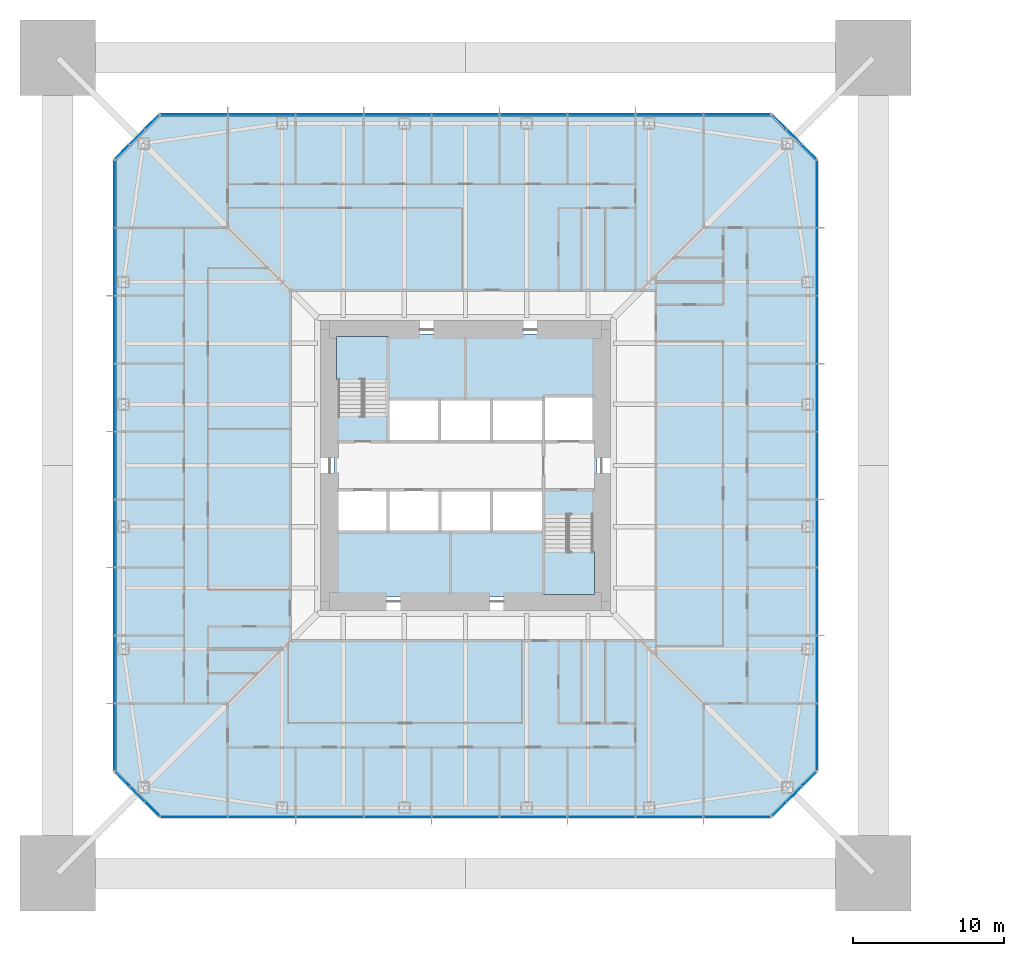
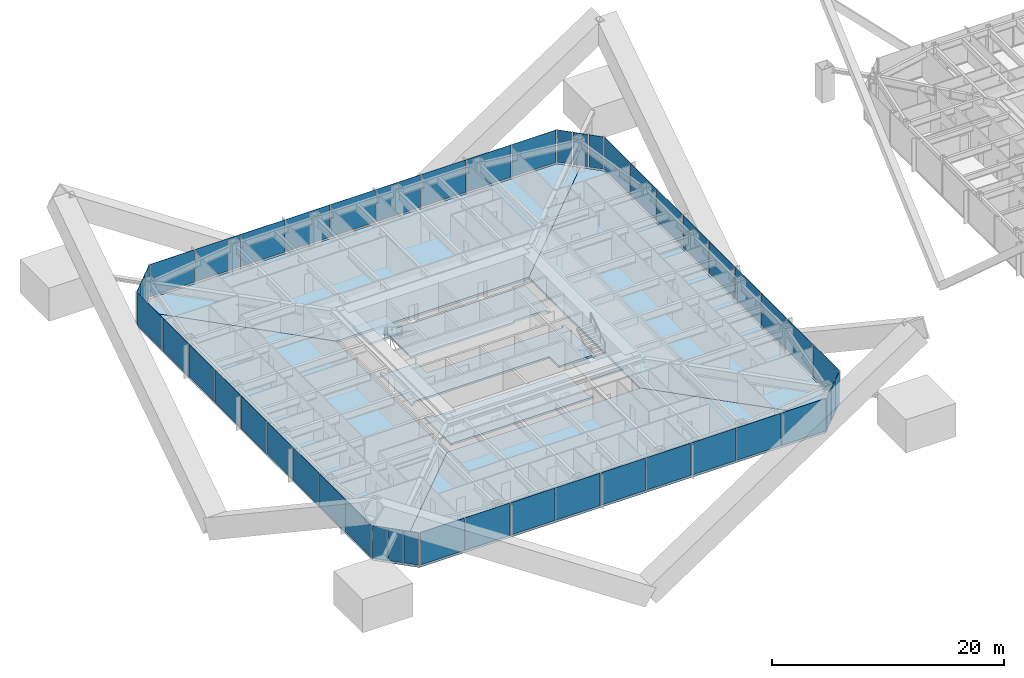
# One storey, part 13 of 27: 48 plates, 9 slabs, 10 elements without a shape of their own.
"""IFC4 building model written with IfcOpenShell, lengths in metres."""

from ifc_helpers import new_model, si_unit, direction, frame, origin, origin_2d, place, context, subcontext, project, spatial, polyline, rectangle, outline, extrude, material, layer, layer_set, constituent, constituent_set, type_object, element, aggregate, save


model = new_model("IFC4")

# Units and contexts
model_context = context("Model", 3, precision=1e-05, world=origin(), true_north=direction((0.0, 1.0)))
body_context = subcontext(model_context, "Body", "Model", "MODEL_VIEW")
ifc_project = project(units=[si_unit("LENGTHUNIT", "METRE"), si_unit("AREAUNIT", "SQUARE_METRE"), si_unit("VOLUMEUNIT", "CUBIC_METRE"), si_unit("PLANEANGLEUNIT", "RADIAN"), si_unit("MASSUNIT", "GRAM", prefix="KILO")], contexts=[model_context])

# Site, building, storey
site_placement = place(None, origin())
site = spatial("IfcSite", under=ifc_project, at=site_placement, CompositionType="ELEMENT")
building_placement = place(site_placement, origin())
building = spatial("IfcBuilding", under=site, at=building_placement, Name="Iwan Alto Co-Living Towers", CompositionType="ELEMENT")
storey_placement = place(building_placement, frame((0.0, 0.0, 25.5)))
storey = spatial("IfcBuildingStorey", under=building, at=storey_placement, Name="L06", CompositionType="ELEMENT", Elevation=25.5)

# Slabs
ifc_material_1 = material(Name="Concrete f'c 30 MPa", Category="concrete")
ifc_layer_1 = layer(ifc_material_1, 0.199951171875)
ifc_layer_set_1 = layer_set([ifc_layer_1], Name="CORE FLOOR SLAB 200")
slab_type_1 = type_object("IfcSlabType", Name="CORE FLOOR SLAB 200", PredefinedType="FLOOR", material=ifc_layer_set_1)
slab_1_placement = place(storey_placement, frame((0.0, 0.0, -0.199951171875)))
element("IfcSlab", 1, at=slab_1_placement, inside=storey, type_object=slab_type_1, Name="T1 core floor L06", PredefinedType="FLOOR", context=body_context, shape_type="SweptSolid", body=[
    extrude(outline(polyline([(8.699951171875, -3.580078125), (8.39990234375, -3.580078125), (8.39990234375, -3.27001953125), (5.14990234375, -3.27001953125), (5.14990234375, -1.60009765625), (1.72509765625, -1.60009765625), (-1.699951171875, -1.60009765625), (-5.125, -1.60009765625), (-8.39990234375, -1.60009765625), (-8.39990234375, -1.909912109375), (-8.699951171875, -1.909912109375), (-8.699951171875, 3.580078125), (-8.39990234375, 3.580078125), (-8.39990234375, 3.27001953125), (-5.14990234375, 3.27001953125), (-5.14990234375, 1.60009765625), (-1.717041015625, 1.60009765625), (1.717041015625, 1.60009765625), (5.14990234375, 1.60009765625), (8.39990234375, 1.60009765625), (8.39990234375, 1.909912109375), (8.699951171875, 1.909912109375), (8.699951171875, -3.580078125)])), origin(), (0.0, 0.0, 1.0), 0.199951171875),
])
slab_2_placement = place(storey_placement, frame((0.0, 0.0, -0.199951171875)))
element("IfcSlab", 2, at=slab_2_placement, inside=storey, type_object=slab_type_1, Name="T1 core floor L06", PredefinedType="FLOOR", context=body_context, shape_type="SweptSolid", body=[
    extrude(outline(polyline([(-1.699951171875, -4.39990234375), (1.72509765625, -4.39990234375), (5.14990234375, -4.39990234375), (5.14990234375, -8.39990234375), (5.4599609375, -8.39990234375), (5.4599609375, -8.699951171875), (-8.699951171875, -8.699951171875), (-8.699951171875, -4.090087890625), (-8.39990234375, -4.090087890625), (-8.39990234375, -4.39990234375), (-5.125, -4.39990234375), (-1.699951171875, -4.39990234375)])), origin(), (0.0, 0.0, 1.0), 0.199951171875),
])
slab_3_placement = place(storey_placement, frame((0.0, 0.0, -0.199951171875)))
element("IfcSlab", 3, at=slab_3_placement, inside=storey, type_object=slab_type_1, Name="T1 core floor L06", PredefinedType="FLOOR", context=body_context, shape_type="SweptSolid", body=[
    extrude(outline(polyline([(1.717041015625, 4.39990234375), (-1.717041015625, 4.39990234375), (-5.14990234375, 4.39990234375), (-5.14990234375, 8.39990234375), (-5.4599609375, 8.39990234375), (-5.4599609375, 8.699951171875), (8.699951171875, 8.699951171875), (8.699951171875, 4.2900390625), (8.39990234375, 4.2900390625), (8.39990234375, 4.60009765625), (5.14990234375, 4.60009765625), (5.14990234375, 4.39990234375), (1.717041015625, 4.39990234375)])), origin(), (0.0, 0.0, 1.0), 0.199951171875),
])

# Curtain wall, plates
ifc_material_2 = material(Name="Bronze aluminium unitised frame", Category="aluminium")
curtain_wall_type_1 = type_object("IfcCurtainWallType", Name="CURTAIN WALL CW-A", PredefinedType="NOTDEFINED", material=ifc_material_2)
curtain_wall_1_placement = place(storey_placement, origin())
curtain_wall_1 = element("IfcCurtainWall", 4, at=curtain_wall_1_placement, inside=storey, type_object=curtain_wall_type_1, Name="T1 curtain wall S L06", PredefinedType="NOTDEFINED")
ifc_material_3 = material(Name="Bronze-tinted insulating glass", Category="glass")
ifc_layer_2 = layer(ifc_material_3, 0.031982421875)
ifc_layer_set_2 = layer_set([ifc_layer_2], Name="CW-A PANEL TINTED IGU 32")
plate_type_1 = type_object("IfcPlateType", Name="CW-A PANEL TINTED IGU 32", PredefinedType="CURTAIN_PANEL", material=ifc_layer_set_2)
plate_1_placement = place(storey_placement, frame((-17.97998046875, -23.25, 0.10009765625), z_axis=(0.0, 0.0, 1.0), x_axis=(1.0, 0.0, 0.0)))
plate_1 = element("IfcPlate", 5, at=plate_1_placement, type_object=plate_type_1, Name="CW-A panel 1.1", PredefinedType="CURTAIN_PANEL", context=body_context, shape_type="SweptSolid", body=[
    extrude(rectangle(XDim=4.3798828125, YDim=0.031982421875, at=origin_2d()), origin(), (0.0, 0.0, 1.0), 3.39990234375),
])
plate_2_placement = place(storey_placement, frame((-13.5, -23.25, 0.10009765625), z_axis=(0.0, 0.0, 1.0), x_axis=(1.0, 0.0, 0.0)))
plate_2 = element("IfcPlate", 6, at=plate_2_placement, type_object=plate_type_1, Name="CW-A panel 2.1", PredefinedType="CURTAIN_PANEL", context=body_context, shape_type="SweptSolid", body=[
    extrude(rectangle(XDim=4.419921875, YDim=0.031982421875, at=origin_2d()), origin(), (0.0, 0.0, 1.0), 3.39990234375),
])
plate_3_placement = place(storey_placement, frame((-9.0, -23.25, 0.10009765625), z_axis=(0.0, 0.0, 1.0), x_axis=(1.0, 0.0, 0.0)))
plate_3 = element("IfcPlate", 7, at=plate_3_placement, type_object=plate_type_1, Name="CW-A panel 3.1", PredefinedType="CURTAIN_PANEL", context=body_context, shape_type="SweptSolid", body=[
    extrude(rectangle(XDim=4.419921875, YDim=0.031982421875, at=origin_2d()), origin(), (0.0, 0.0, 1.0), 3.39990234375),
])
plate_4_placement = place(storey_placement, frame((-4.5, -23.25, 0.10009765625), z_axis=(0.0, 0.0, 1.0), x_axis=(1.0, 0.0, 0.0)))
plate_4 = element("IfcPlate", 8, at=plate_4_placement, type_object=plate_type_1, Name="CW-A panel 4.1", PredefinedType="CURTAIN_PANEL", context=body_context, shape_type="SweptSolid", body=[
    extrude(rectangle(XDim=4.419921875, YDim=0.031982421875, at=origin_2d()), origin(), (0.0, 0.0, 1.0), 3.39990234375),
])
plate_5_placement = place(storey_placement, frame((0.0, -23.25, 0.10009765625), z_axis=(0.0, 0.0, 1.0), x_axis=(1.0, 0.0, 0.0)))
plate_5 = element("IfcPlate", 9, at=plate_5_placement, type_object=plate_type_1, Name="CW-A panel 5.1", PredefinedType="CURTAIN_PANEL", context=body_context, shape_type="SweptSolid", body=[
    extrude(rectangle(XDim=4.419921875, YDim=0.031982421875, at=origin_2d()), origin(), (0.0, 0.0, 1.0), 3.39990234375),
])
plate_6_placement = place(storey_placement, frame((4.5, -23.25, 0.10009765625), z_axis=(0.0, 0.0, 1.0), x_axis=(1.0, 0.0, 0.0)))
plate_6 = element("IfcPlate", 10, at=plate_6_placement, type_object=plate_type_1, Name="CW-A panel 6.1", PredefinedType="CURTAIN_PANEL", context=body_context, shape_type="SweptSolid", body=[
    extrude(rectangle(XDim=4.419921875, YDim=0.031982421875, at=origin_2d()), origin(), (0.0, 0.0, 1.0), 3.39990234375),
])
plate_7_placement = place(storey_placement, frame((9.0, -23.25, 0.10009765625), z_axis=(0.0, 0.0, 1.0), x_axis=(1.0, 0.0, 0.0)))
plate_7 = element("IfcPlate", 11, at=plate_7_placement, type_object=plate_type_1, Name="CW-A panel 7.1", PredefinedType="CURTAIN_PANEL", context=body_context, shape_type="SweptSolid", body=[
    extrude(rectangle(XDim=4.419921875, YDim=0.031982421875, at=origin_2d()), origin(), (0.0, 0.0, 1.0), 3.39990234375),
])
plate_8_placement = place(storey_placement, frame((13.5, -23.25, 0.10009765625), z_axis=(0.0, 0.0, 1.0), x_axis=(1.0, 0.0, 0.0)))
plate_8 = element("IfcPlate", 12, at=plate_8_placement, type_object=plate_type_1, Name="CW-A panel 8.1", PredefinedType="CURTAIN_PANEL", context=body_context, shape_type="SweptSolid", body=[
    extrude(rectangle(XDim=4.419921875, YDim=0.031982421875, at=origin_2d()), origin(), (0.0, 0.0, 1.0), 3.39990234375),
])
plate_9_placement = place(storey_placement, frame((17.97998046875, -23.25, 0.10009765625), z_axis=(0.0, 0.0, 1.0), x_axis=(1.0, 0.0, 0.0)))
plate_9 = element("IfcPlate", 13, at=plate_9_placement, type_object=plate_type_1, Name="CW-A panel 9.1", PredefinedType="CURTAIN_PANEL", context=body_context, shape_type="SweptSolid", body=[
    extrude(rectangle(XDim=4.3798828125, YDim=0.031982421875, at=origin_2d()), origin(), (0.0, 0.0, 1.0), 3.39990234375),
])
aggregate(curtain_wall_1, [plate_1, plate_2, plate_3, plate_4, plate_5, plate_6, plate_7, plate_8, plate_9])

curtain_wall_2_placement = place(storey_placement, origin())
curtain_wall_2 = element("IfcCurtainWall", 14, at=curtain_wall_2_placement, inside=storey, type_object=curtain_wall_type_1, Name="T1 curtain wall E L06", PredefinedType="NOTDEFINED")
plate_10_placement = place(storey_placement, frame((23.25, -17.97998046875, 0.10009765625), z_axis=(0.0, 0.0, 1.0), x_axis=(0.0, 1.0, 0.0)))
plate_10 = element("IfcPlate", 15, at=plate_10_placement, type_object=plate_type_1, Name="CW-A panel 1.1", PredefinedType="CURTAIN_PANEL", context=body_context, shape_type="SweptSolid", body=[
    extrude(rectangle(XDim=4.3798828125, YDim=0.031982421875, at=origin_2d()), origin(), (0.0, 0.0, 1.0), 3.39990234375),
])
plate_11_placement = place(storey_placement, frame((23.25, -13.5, 0.10009765625), z_axis=(0.0, 0.0, 1.0), x_axis=(0.0, 1.0, 0.0)))
plate_11 = element("IfcPlate", 16, at=plate_11_placement, type_object=plate_type_1, Name="CW-A panel 2.1", PredefinedType="CURTAIN_PANEL", context=body_context, shape_type="SweptSolid", body=[
    extrude(rectangle(XDim=4.419921875, YDim=0.031982421875, at=origin_2d()), origin(), (0.0, 0.0, 1.0), 3.39990234375),
])
plate_12_placement = place(storey_placement, frame((23.25, -9.0, 0.10009765625), z_axis=(0.0, 0.0, 1.0), x_axis=(0.0, 1.0, 0.0)))
plate_12 = element("IfcPlate", 17, at=plate_12_placement, type_object=plate_type_1, Name="CW-A panel 3.1", PredefinedType="CURTAIN_PANEL", context=body_context, shape_type="SweptSolid", body=[
    extrude(rectangle(XDim=4.419921875, YDim=0.031982421875, at=origin_2d()), origin(), (0.0, 0.0, 1.0), 3.39990234375),
])
plate_13_placement = place(storey_placement, frame((23.25, -4.5, 0.10009765625), z_axis=(0.0, 0.0, 1.0), x_axis=(0.0, 1.0, 0.0)))
plate_13 = element("IfcPlate", 18, at=plate_13_placement, type_object=plate_type_1, Name="CW-A panel 4.1", PredefinedType="CURTAIN_PANEL", context=body_context, shape_type="SweptSolid", body=[
    extrude(rectangle(XDim=4.419921875, YDim=0.031982421875, at=origin_2d()), origin(), (0.0, 0.0, 1.0), 3.39990234375),
])
plate_14_placement = place(storey_placement, frame((23.25, 0.0, 0.10009765625), z_axis=(0.0, 0.0, 1.0), x_axis=(0.0, 1.0, 0.0)))
plate_14 = element("IfcPlate", 19, at=plate_14_placement, type_object=plate_type_1, Name="CW-A panel 5.1", PredefinedType="CURTAIN_PANEL", context=body_context, shape_type="SweptSolid", body=[
    extrude(rectangle(XDim=4.419921875, YDim=0.031982421875, at=origin_2d()), origin(), (0.0, 0.0, 1.0), 3.39990234375),
])
plate_15_placement = place(storey_placement, frame((23.25, 4.5, 0.10009765625), z_axis=(0.0, 0.0, 1.0), x_axis=(0.0, 1.0, 0.0)))
plate_15 = element("IfcPlate", 20, at=plate_15_placement, type_object=plate_type_1, Name="CW-A panel 6.1", PredefinedType="CURTAIN_PANEL", context=body_context, shape_type="SweptSolid", body=[
    extrude(rectangle(XDim=4.419921875, YDim=0.031982421875, at=origin_2d()), origin(), (0.0, 0.0, 1.0), 3.39990234375),
])
plate_16_placement = place(storey_placement, frame((23.25, 9.0, 0.10009765625), z_axis=(0.0, 0.0, 1.0), x_axis=(0.0, 1.0, 0.0)))
plate_16 = element("IfcPlate", 21, at=plate_16_placement, type_object=plate_type_1, Name="CW-A panel 7.1", PredefinedType="CURTAIN_PANEL", context=body_context, shape_type="SweptSolid", body=[
    extrude(rectangle(XDim=4.419921875, YDim=0.031982421875, at=origin_2d()), origin(), (0.0, 0.0, 1.0), 3.39990234375),
])
plate_17_placement = place(storey_placement, frame((23.25, 13.5, 0.10009765625), z_axis=(0.0, 0.0, 1.0), x_axis=(0.0, 1.0, 0.0)))
plate_17 = element("IfcPlate", 22, at=plate_17_placement, type_object=plate_type_1, Name="CW-A panel 8.1", PredefinedType="CURTAIN_PANEL", context=body_context, shape_type="SweptSolid", body=[
    extrude(rectangle(XDim=4.419921875, YDim=0.031982421875, at=origin_2d()), origin(), (0.0, 0.0, 1.0), 3.39990234375),
])
plate_18_placement = place(storey_placement, frame((23.25, 17.97998046875, 0.10009765625), z_axis=(0.0, 0.0, 1.0), x_axis=(0.0, 1.0, 0.0)))
plate_18 = element("IfcPlate", 23, at=plate_18_placement, type_object=plate_type_1, Name="CW-A panel 9.1", PredefinedType="CURTAIN_PANEL", context=body_context, shape_type="SweptSolid", body=[
    extrude(rectangle(XDim=4.3798828125, YDim=0.031982421875, at=origin_2d()), origin(), (0.0, 0.0, 1.0), 3.39990234375),
])
aggregate(curtain_wall_2, [plate_10, plate_11, plate_12, plate_13, plate_14, plate_15, plate_16, plate_17, plate_18])

curtain_wall_3_placement = place(storey_placement, origin())
curtain_wall_3 = element("IfcCurtainWall", 24, at=curtain_wall_3_placement, inside=storey, type_object=curtain_wall_type_1, Name="T1 curtain wall N L06", PredefinedType="NOTDEFINED")
plate_19_placement = place(storey_placement, frame((17.97998046875, 23.25, 0.10009765625), z_axis=(0.0, 0.0, 1.0), x_axis=(-1.0, 0.0, 0.0)))
plate_19 = element("IfcPlate", 25, at=plate_19_placement, type_object=plate_type_1, Name="CW-A panel 1.1", PredefinedType="CURTAIN_PANEL", context=body_context, shape_type="SweptSolid", body=[
    extrude(rectangle(XDim=4.3798828125, YDim=0.031982421875, at=origin_2d()), origin(), (0.0, 0.0, 1.0), 3.39990234375),
])
plate_20_placement = place(storey_placement, frame((13.5, 23.25, 0.10009765625), z_axis=(0.0, 0.0, 1.0), x_axis=(-1.0, 0.0, 0.0)))
plate_20 = element("IfcPlate", 26, at=plate_20_placement, type_object=plate_type_1, Name="CW-A panel 2.1", PredefinedType="CURTAIN_PANEL", context=body_context, shape_type="SweptSolid", body=[
    extrude(rectangle(XDim=4.419921875, YDim=0.031982421875, at=origin_2d()), origin(), (0.0, 0.0, 1.0), 3.39990234375),
])
plate_21_placement = place(storey_placement, frame((9.0, 23.25, 0.10009765625), z_axis=(0.0, 0.0, 1.0), x_axis=(-1.0, 0.0, 0.0)))
plate_21 = element("IfcPlate", 27, at=plate_21_placement, type_object=plate_type_1, Name="CW-A panel 3.1", PredefinedType="CURTAIN_PANEL", context=body_context, shape_type="SweptSolid", body=[
    extrude(rectangle(XDim=4.419921875, YDim=0.031982421875, at=origin_2d()), origin(), (0.0, 0.0, 1.0), 3.39990234375),
])
plate_22_placement = place(storey_placement, frame((4.5, 23.25, 0.10009765625), z_axis=(0.0, 0.0, 1.0), x_axis=(-1.0, 0.0, 0.0)))
plate_22 = element("IfcPlate", 28, at=plate_22_placement, type_object=plate_type_1, Name="CW-A panel 4.1", PredefinedType="CURTAIN_PANEL", context=body_context, shape_type="SweptSolid", body=[
    extrude(rectangle(XDim=4.419921875, YDim=0.031982421875, at=origin_2d()), origin(), (0.0, 0.0, 1.0), 3.39990234375),
])
plate_23_placement = place(storey_placement, frame((0.0, 23.25, 0.10009765625), z_axis=(0.0, 0.0, 1.0), x_axis=(-1.0, 0.0, 0.0)))
plate_23 = element("IfcPlate", 29, at=plate_23_placement, type_object=plate_type_1, Name="CW-A panel 5.1", PredefinedType="CURTAIN_PANEL", context=body_context, shape_type="SweptSolid", body=[
    extrude(rectangle(XDim=4.419921875, YDim=0.031982421875, at=origin_2d()), origin(), (0.0, 0.0, 1.0), 3.39990234375),
])
plate_24_placement = place(storey_placement, frame((-4.5, 23.25, 0.10009765625), z_axis=(0.0, 0.0, 1.0), x_axis=(-1.0, 0.0, 0.0)))
plate_24 = element("IfcPlate", 30, at=plate_24_placement, type_object=plate_type_1, Name="CW-A panel 6.1", PredefinedType="CURTAIN_PANEL", context=body_context, shape_type="SweptSolid", body=[
    extrude(rectangle(XDim=4.419921875, YDim=0.031982421875, at=origin_2d()), origin(), (0.0, 0.0, 1.0), 3.39990234375),
])
plate_25_placement = place(storey_placement, frame((-9.0, 23.25, 0.10009765625), z_axis=(0.0, 0.0, 1.0), x_axis=(-1.0, 0.0, 0.0)))
plate_25 = element("IfcPlate", 31, at=plate_25_placement, type_object=plate_type_1, Name="CW-A panel 7.1", PredefinedType="CURTAIN_PANEL", context=body_context, shape_type="SweptSolid", body=[
    extrude(rectangle(XDim=4.419921875, YDim=0.031982421875, at=origin_2d()), origin(), (0.0, 0.0, 1.0), 3.39990234375),
])
plate_26_placement = place(storey_placement, frame((-13.5, 23.25, 0.10009765625), z_axis=(0.0, 0.0, 1.0), x_axis=(-1.0, 0.0, 0.0)))
plate_26 = element("IfcPlate", 32, at=plate_26_placement, type_object=plate_type_1, Name="CW-A panel 8.1", PredefinedType="CURTAIN_PANEL", context=body_context, shape_type="SweptSolid", body=[
    extrude(rectangle(XDim=4.419921875, YDim=0.031982421875, at=origin_2d()), origin(), (0.0, 0.0, 1.0), 3.39990234375),
])
plate_27_placement = place(storey_placement, frame((-17.97998046875, 23.25, 0.10009765625), z_axis=(0.0, 0.0, 1.0), x_axis=(-1.0, 0.0, 0.0)))
plate_27 = element("IfcPlate", 33, at=plate_27_placement, type_object=plate_type_1, Name="CW-A panel 9.1", PredefinedType="CURTAIN_PANEL", context=body_context, shape_type="SweptSolid", body=[
    extrude(rectangle(XDim=4.3798828125, YDim=0.031982421875, at=origin_2d()), origin(), (0.0, 0.0, 1.0), 3.39990234375),
])
aggregate(curtain_wall_3, [plate_19, plate_20, plate_21, plate_22, plate_23, plate_24, plate_25, plate_26, plate_27])

curtain_wall_4_placement = place(storey_placement, origin())
curtain_wall_4 = element("IfcCurtainWall", 34, at=curtain_wall_4_placement, inside=storey, type_object=curtain_wall_type_1, Name="T1 curtain wall W L06", PredefinedType="NOTDEFINED")
plate_28_placement = place(storey_placement, frame((-23.25, 17.97998046875, 0.10009765625), z_axis=(0.0, 0.0, 1.0), x_axis=(0.0, -1.0, 0.0)))
plate_28 = element("IfcPlate", 35, at=plate_28_placement, type_object=plate_type_1, Name="CW-A panel 1.1", PredefinedType="CURTAIN_PANEL", context=body_context, shape_type="SweptSolid", body=[
    extrude(rectangle(XDim=4.3798828125, YDim=0.031982421875, at=origin_2d()), origin(), (0.0, 0.0, 1.0), 3.39990234375),
])
plate_29_placement = place(storey_placement, frame((-23.25, 13.5, 0.10009765625), z_axis=(0.0, 0.0, 1.0), x_axis=(0.0, -1.0, 0.0)))
plate_29 = element("IfcPlate", 36, at=plate_29_placement, type_object=plate_type_1, Name="CW-A panel 2.1", PredefinedType="CURTAIN_PANEL", context=body_context, shape_type="SweptSolid", body=[
    extrude(rectangle(XDim=4.419921875, YDim=0.031982421875, at=origin_2d()), origin(), (0.0, 0.0, 1.0), 3.39990234375),
])
plate_30_placement = place(storey_placement, frame((-23.25, 9.0, 0.10009765625), z_axis=(0.0, 0.0, 1.0), x_axis=(0.0, -1.0, 0.0)))
plate_30 = element("IfcPlate", 37, at=plate_30_placement, type_object=plate_type_1, Name="CW-A panel 3.1", PredefinedType="CURTAIN_PANEL", context=body_context, shape_type="SweptSolid", body=[
    extrude(rectangle(XDim=4.419921875, YDim=0.031982421875, at=origin_2d()), origin(), (0.0, 0.0, 1.0), 3.39990234375),
])
plate_31_placement = place(storey_placement, frame((-23.25, 4.5, 0.10009765625), z_axis=(0.0, 0.0, 1.0), x_axis=(0.0, -1.0, 0.0)))
plate_31 = element("IfcPlate", 38, at=plate_31_placement, type_object=plate_type_1, Name="CW-A panel 4.1", PredefinedType="CURTAIN_PANEL", context=body_context, shape_type="SweptSolid", body=[
    extrude(rectangle(XDim=4.419921875, YDim=0.031982421875, at=origin_2d()), origin(), (0.0, 0.0, 1.0), 3.39990234375),
])
plate_32_placement = place(storey_placement, frame((-23.25, 0.0, 0.10009765625), z_axis=(0.0, 0.0, 1.0), x_axis=(0.0, -1.0, 0.0)))
plate_32 = element("IfcPlate", 39, at=plate_32_placement, type_object=plate_type_1, Name="CW-A panel 5.1", PredefinedType="CURTAIN_PANEL", context=body_context, shape_type="SweptSolid", body=[
    extrude(rectangle(XDim=4.419921875, YDim=0.031982421875, at=origin_2d()), origin(), (0.0, 0.0, 1.0), 3.39990234375),
])
plate_33_placement = place(storey_placement, frame((-23.25, -4.5, 0.10009765625), z_axis=(0.0, 0.0, 1.0), x_axis=(0.0, -1.0, 0.0)))
plate_33 = element("IfcPlate", 40, at=plate_33_placement, type_object=plate_type_1, Name="CW-A panel 6.1", PredefinedType="CURTAIN_PANEL", context=body_context, shape_type="SweptSolid", body=[
    extrude(rectangle(XDim=4.419921875, YDim=0.031982421875, at=origin_2d()), origin(), (0.0, 0.0, 1.0), 3.39990234375),
])
plate_34_placement = place(storey_placement, frame((-23.25, -9.0, 0.10009765625), z_axis=(0.0, 0.0, 1.0), x_axis=(0.0, -1.0, 0.0)))
plate_34 = element("IfcPlate", 41, at=plate_34_placement, type_object=plate_type_1, Name="CW-A panel 7.1", PredefinedType="CURTAIN_PANEL", context=body_context, shape_type="SweptSolid", body=[
    extrude(rectangle(XDim=4.419921875, YDim=0.031982421875, at=origin_2d()), origin(), (0.0, 0.0, 1.0), 3.39990234375),
])
plate_35_placement = place(storey_placement, frame((-23.25, -13.5, 0.10009765625), z_axis=(0.0, 0.0, 1.0), x_axis=(0.0, -1.0, 0.0)))
plate_35 = element("IfcPlate", 42, at=plate_35_placement, type_object=plate_type_1, Name="CW-A panel 8.1", PredefinedType="CURTAIN_PANEL", context=body_context, shape_type="SweptSolid", body=[
    extrude(rectangle(XDim=4.419921875, YDim=0.031982421875, at=origin_2d()), origin(), (0.0, 0.0, 1.0), 3.39990234375),
])
plate_36_placement = place(storey_placement, frame((-23.25, -17.97998046875, 0.10009765625), z_axis=(0.0, 0.0, 1.0), x_axis=(0.0, -1.0, 0.0)))
plate_36 = element("IfcPlate", 43, at=plate_36_placement, type_object=plate_type_1, Name="CW-A panel 9.1", PredefinedType="CURTAIN_PANEL", context=body_context, shape_type="SweptSolid", body=[
    extrude(rectangle(XDim=4.3798828125, YDim=0.031982421875, at=origin_2d()), origin(), (0.0, 0.0, 1.0), 3.39990234375),
])
aggregate(curtain_wall_4, [plate_28, plate_29, plate_30, plate_31, plate_32, plate_33, plate_34, plate_35, plate_36])

ifc_material_4 = material(Name="Bronze aluminium unitised frame", Category="aluminium")
curtain_wall_type_2 = type_object("IfcCurtainWallType", Name="CURTAIN WALL CW-B", PredefinedType="NOTDEFINED", material=ifc_material_4)
curtain_wall_5_placement = place(storey_placement, origin())
curtain_wall_5 = element("IfcCurtainWall", 44, at=curtain_wall_5_placement, inside=storey, type_object=curtain_wall_type_2, Name="T1 chamfer curtain wall SE L06", PredefinedType="NOTDEFINED")
ifc_material_5 = material(Name="Bronze-tinted insulating glass", Category="glass")
ifc_layer_3 = layer(ifc_material_5, 0.031982421875)
ifc_layer_set_3 = layer_set([ifc_layer_3], Name="CW-B PANEL TINTED IGU 32")
plate_type_2 = type_object("IfcPlateType", Name="CW-B PANEL TINTED IGU 32", PredefinedType="CURTAIN_PANEL", material=ifc_layer_set_3)
plate_37_placement = place(storey_placement, frame((20.76416015625, -22.73583984375, 0.10009765625), z_axis=(0.0, 0.0, 1.0), x_axis=(0.707106781187, 0.707106781187, 0.0)))
plate_37 = element("IfcPlate", 45, at=plate_37_placement, type_object=plate_type_2, Name="CW-B panel 1.1", PredefinedType="CURTAIN_PANEL", context=body_context, shape_type="SweptSolid", body=[
    extrude(rectangle(XDim=1.294189453125, YDim=0.031982421875, at=origin_2d()), origin(), (0.0, 0.0, 1.0), 3.39990234375),
])
plate_38_placement = place(storey_placement, frame((21.75, -21.75, 0.10009765625), z_axis=(0.0, 0.0, 1.0), x_axis=(0.707106781187, 0.707106781187, 0.0)))
plate_38 = element("IfcPlate", 46, at=plate_38_placement, type_object=plate_type_2, Name="CW-B panel 2.1", PredefinedType="CURTAIN_PANEL", context=body_context, shape_type="SweptSolid", body=[
    extrude(rectangle(XDim=1.334228515625, YDim=0.031982421875, at=origin_2d()), origin(), (0.0, 0.0, 1.0), 3.39990234375),
])
plate_39_placement = place(storey_placement, frame((22.73583984375, -20.76416015625, 0.10009765625), z_axis=(0.0, 0.0, 1.0), x_axis=(0.707106781187, 0.707106781187, 0.0)))
plate_39 = element("IfcPlate", 47, at=plate_39_placement, type_object=plate_type_2, Name="CW-B panel 3.1", PredefinedType="CURTAIN_PANEL", context=body_context, shape_type="SweptSolid", body=[
    extrude(rectangle(XDim=1.294189453125, YDim=0.031982421875, at=origin_2d()), origin(), (0.0, 0.0, 1.0), 3.39990234375),
])
aggregate(curtain_wall_5, [plate_37, plate_38, plate_39])

curtain_wall_6_placement = place(storey_placement, origin())
curtain_wall_6 = element("IfcCurtainWall", 48, at=curtain_wall_6_placement, inside=storey, type_object=curtain_wall_type_2, Name="T1 chamfer curtain wall NE L06", PredefinedType="NOTDEFINED")
plate_40_placement = place(storey_placement, frame((22.73583984375, 20.76416015625, 0.10009765625), z_axis=(0.0, 0.0, 1.0), x_axis=(-0.707106781187, 0.707106781187, 0.0)))
plate_40 = element("IfcPlate", 49, at=plate_40_placement, type_object=plate_type_2, Name="CW-B panel 1.1", PredefinedType="CURTAIN_PANEL", context=body_context, shape_type="SweptSolid", body=[
    extrude(rectangle(XDim=1.294189453125, YDim=0.031982421875, at=origin_2d()), origin(), (0.0, 0.0, 1.0), 3.39990234375),
])
plate_41_placement = place(storey_placement, frame((21.75, 21.75, 0.10009765625), z_axis=(0.0, 0.0, 1.0), x_axis=(-0.707106781187, 0.707106781187, 0.0)))
plate_41 = element("IfcPlate", 50, at=plate_41_placement, type_object=plate_type_2, Name="CW-B panel 2.1", PredefinedType="CURTAIN_PANEL", context=body_context, shape_type="SweptSolid", body=[
    extrude(rectangle(XDim=1.334228515625, YDim=0.031982421875, at=origin_2d()), origin(), (0.0, 0.0, 1.0), 3.39990234375),
])
plate_42_placement = place(storey_placement, frame((20.76416015625, 22.73583984375, 0.10009765625), z_axis=(0.0, 0.0, 1.0), x_axis=(-0.707106781187, 0.707106781187, 0.0)))
plate_42 = element("IfcPlate", 51, at=plate_42_placement, type_object=plate_type_2, Name="CW-B panel 3.1", PredefinedType="CURTAIN_PANEL", context=body_context, shape_type="SweptSolid", body=[
    extrude(rectangle(XDim=1.294189453125, YDim=0.031982421875, at=origin_2d()), origin(), (0.0, 0.0, 1.0), 3.39990234375),
])
aggregate(curtain_wall_6, [plate_40, plate_41, plate_42])

curtain_wall_7_placement = place(storey_placement, origin())
curtain_wall_7 = element("IfcCurtainWall", 52, at=curtain_wall_7_placement, inside=storey, type_object=curtain_wall_type_2, Name="T1 chamfer curtain wall NW L06", PredefinedType="NOTDEFINED")
plate_43_placement = place(storey_placement, frame((-20.76416015625, 22.73583984375, 0.10009765625), z_axis=(0.0, 0.0, 1.0), x_axis=(-0.707106781187, -0.707106781187, 0.0)))
plate_43 = element("IfcPlate", 53, at=plate_43_placement, type_object=plate_type_2, Name="CW-B panel 1.1", PredefinedType="CURTAIN_PANEL", context=body_context, shape_type="SweptSolid", body=[
    extrude(rectangle(XDim=1.294189453125, YDim=0.031982421875, at=origin_2d()), origin(), (0.0, 0.0, 1.0), 3.39990234375),
])
plate_44_placement = place(storey_placement, frame((-21.75, 21.75, 0.10009765625), z_axis=(0.0, 0.0, 1.0), x_axis=(-0.707106781187, -0.707106781187, 0.0)))
plate_44 = element("IfcPlate", 54, at=plate_44_placement, type_object=plate_type_2, Name="CW-B panel 2.1", PredefinedType="CURTAIN_PANEL", context=body_context, shape_type="SweptSolid", body=[
    extrude(rectangle(XDim=1.334228515625, YDim=0.031982421875, at=origin_2d()), origin(), (0.0, 0.0, 1.0), 3.39990234375),
])
plate_45_placement = place(storey_placement, frame((-22.73583984375, 20.76416015625, 0.10009765625), z_axis=(0.0, 0.0, 1.0), x_axis=(-0.707106781187, -0.707106781187, 0.0)))
plate_45 = element("IfcPlate", 55, at=plate_45_placement, type_object=plate_type_2, Name="CW-B panel 3.1", PredefinedType="CURTAIN_PANEL", context=body_context, shape_type="SweptSolid", body=[
    extrude(rectangle(XDim=1.294189453125, YDim=0.031982421875, at=origin_2d()), origin(), (0.0, 0.0, 1.0), 3.39990234375),
])
aggregate(curtain_wall_7, [plate_43, plate_44, plate_45])

curtain_wall_8_placement = place(storey_placement, origin())
curtain_wall_8 = element("IfcCurtainWall", 56, at=curtain_wall_8_placement, inside=storey, type_object=curtain_wall_type_2, Name="T1 chamfer curtain wall SW L06", PredefinedType="NOTDEFINED")
plate_46_placement = place(storey_placement, frame((-22.73583984375, -20.76416015625, 0.10009765625), z_axis=(0.0, 0.0, 1.0), x_axis=(0.707106781187, -0.707106781187, 0.0)))
plate_46 = element("IfcPlate", 57, at=plate_46_placement, type_object=plate_type_2, Name="CW-B panel 1.1", PredefinedType="CURTAIN_PANEL", context=body_context, shape_type="SweptSolid", body=[
    extrude(rectangle(XDim=1.294189453125, YDim=0.031982421875, at=origin_2d()), origin(), (0.0, 0.0, 1.0), 3.39990234375),
])
plate_47_placement = place(storey_placement, frame((-21.75, -21.75, 0.10009765625), z_axis=(0.0, 0.0, 1.0), x_axis=(0.707106781187, -0.707106781187, 0.0)))
plate_47 = element("IfcPlate", 58, at=plate_47_placement, type_object=plate_type_2, Name="CW-B panel 2.1", PredefinedType="CURTAIN_PANEL", context=body_context, shape_type="SweptSolid", body=[
    extrude(rectangle(XDim=1.334228515625, YDim=0.031982421875, at=origin_2d()), origin(), (0.0, 0.0, 1.0), 3.39990234375),
])
plate_48_placement = place(storey_placement, frame((-20.76416015625, -22.73583984375, 0.10009765625), z_axis=(0.0, 0.0, 1.0), x_axis=(0.707106781187, -0.707106781187, 0.0)))
plate_48 = element("IfcPlate", 59, at=plate_48_placement, type_object=plate_type_2, Name="CW-B panel 3.1", PredefinedType="CURTAIN_PANEL", context=body_context, shape_type="SweptSolid", body=[
    extrude(rectangle(XDim=1.294189453125, YDim=0.031982421875, at=origin_2d()), origin(), (0.0, 0.0, 1.0), 3.39990234375),
])
aggregate(curtain_wall_8, [plate_46, plate_47, plate_48])

# Stair, slab
ifc_material_6 = material(Name="Steel ASTM A36", Category="steel")
ifc_constituent_1 = constituent(ifc_material_6, Name="Stringers", Category="LoadBearing")
ifc_material_7 = material(Name="Concrete f'c 30 MPa", Category="concrete")
ifc_constituent_2 = constituent(ifc_material_7, Name="Tread fill", Category="Finish")
ifc_constituent_set = constituent_set(constituents=[ifc_constituent_1, ifc_constituent_2], Name="STAIR 3500 TWO-FLIGHT T1 CORE")
stair_type = type_object("IfcStairType", Name="STAIR 3500 TWO-FLIGHT T1 CORE", PredefinedType="HALF_TURN_STAIR", material=ifc_constituent_set)
stair_1_placement = place(storey_placement, origin())
stair_1 = element("IfcStair", 60, at=stair_1_placement, inside=storey, type_object=stair_type, Name="Stair T1-S1 L06 to L07", PredefinedType="HALF_TURN_STAIR")
ifc_material_8 = material(Name="Concrete f'c 30 MPa", Category="concrete")
ifc_layer_4 = layer(ifc_material_8, 0.199951171875)
ifc_layer_set_4 = layer_set([ifc_layer_4], Name="STAIR LANDING 200")
slab_type_2 = type_object("IfcSlabType", Name="STAIR LANDING 200", PredefinedType="LANDING", material=ifc_layer_set_4)
slab_4_placement = place(storey_placement, frame((0.0, 0.0, 1.550048828125)))
slab_4 = element("IfcSlab", 61, at=slab_4_placement, type_object=slab_type_2, Name="T1-S1 landing 1", PredefinedType="LANDING", context=body_context, shape_type="SweptSolid", body=[
    extrude(outline(polyline([(-8.550048828125, 5.68994140625), (-8.550048828125, 8.550048828125), (-5.14990234375, 8.550048828125), (-5.14990234375, 5.68994140625), (-8.550048828125, 5.68994140625)])), origin(), (0.0, 0.0, 1.0), 0.199951171875),
])
aggregate(stair_1, [slab_4])

stair_2_placement = place(storey_placement, origin())
stair_2 = element("IfcStair", 62, at=stair_2_placement, inside=storey, type_object=stair_type, Name="Stair T1-S2 L06 to L07", PredefinedType="HALF_TURN_STAIR")
slab_5_placement = place(storey_placement, frame((0.0, 0.0, 1.550048828125)))
slab_5 = element("IfcSlab", 63, at=slab_5_placement, type_object=slab_type_2, Name="T1-S2 landing 1", PredefinedType="LANDING", context=body_context, shape_type="SweptSolid", body=[
    extrude(outline(polyline([(5.14990234375, -5.68994140625), (5.14990234375, -8.550048828125), (8.550048828125, -8.550048828125), (8.550048828125, -5.68994140625), (5.14990234375, -5.68994140625)])), origin(), (0.0, 0.0, 1.0), 0.199951171875),
])
aggregate(stair_2, [slab_5])

# Slabs
ifc_material_9 = material(Name="Concrete f'c 30 MPa", Category="concrete")
ifc_layer_5 = layer(ifc_material_9, 0.22998046875)
ifc_layer_set_5 = layer_set([ifc_layer_5], Name="T1 FLOOR SLAB 230")
slab_type_3 = type_object("IfcSlabType", Name="T1 FLOOR SLAB 230", PredefinedType="FLOOR", material=ifc_layer_set_5)
slab_6_placement = place(storey_placement, frame((0.0, 0.0, -0.22998046875)))
element("IfcSlab", 64, at=slab_6_placement, inside=storey, type_object=slab_type_3, Name="T1 floor slab L06 S pour", PredefinedType="FLOOR", context=body_context, shape_type="SweptSolid", body=[
    extrude(outline(polyline([(20.19140625, -23.14990234375), (-20.19140625, -23.14990234375), (-21.670654296875, -21.670654296875), (-9.60009765625, -9.60009765625), (9.60009765625, -9.60009765625), (21.670654296875, -21.670654296875), (20.19140625, -23.14990234375)])), origin(), (0.0, 0.0, 1.0), 0.22998046875),
])
slab_7_placement = place(storey_placement, frame((0.0, 0.0, -0.22998046875)))
element("IfcSlab", 65, at=slab_7_placement, inside=storey, type_object=slab_type_3, Name="T1 floor slab L06 E pour", PredefinedType="FLOOR", context=body_context, shape_type="SweptSolid", body=[
    extrude(outline(polyline([(23.14990234375, 20.19140625), (23.14990234375, -20.19140625), (21.670654296875, -21.670654296875), (9.60009765625, -9.60009765625), (9.60009765625, 9.60009765625), (21.670654296875, 21.670654296875), (23.14990234375, 20.19140625)])), origin(), (0.0, 0.0, 1.0), 0.22998046875),
])
slab_8_placement = place(storey_placement, frame((0.0, 0.0, -0.22998046875)))
element("IfcSlab", 66, at=slab_8_placement, inside=storey, type_object=slab_type_3, Name="T1 floor slab L06 N pour", PredefinedType="FLOOR", context=body_context, shape_type="SweptSolid", body=[
    extrude(outline(polyline([(-20.19140625, 23.14990234375), (20.19140625, 23.14990234375), (21.670654296875, 21.670654296875), (9.60009765625, 9.60009765625), (-9.60009765625, 9.60009765625), (-21.670654296875, 21.670654296875), (-20.19140625, 23.14990234375)])), origin(), (0.0, 0.0, 1.0), 0.22998046875),
])
slab_9_placement = place(storey_placement, frame((0.0, 0.0, -0.22998046875)))
element("IfcSlab", 67, at=slab_9_placement, inside=storey, type_object=slab_type_3, Name="T1 floor slab L06 W pour", PredefinedType="FLOOR", context=body_context, shape_type="SweptSolid", body=[
    extrude(outline(polyline([(-23.14990234375, 20.19140625), (-21.670654296875, 21.670654296875), (-9.60009765625, 9.60009765625), (-9.60009765625, -9.60009765625), (-21.670654296875, -21.670654296875), (-23.14990234375, -20.19140625), (-23.14990234375, 20.19140625)])), origin(), (0.0, 0.0, 1.0), 0.22998046875),
])

save(model, "model.ifc")
